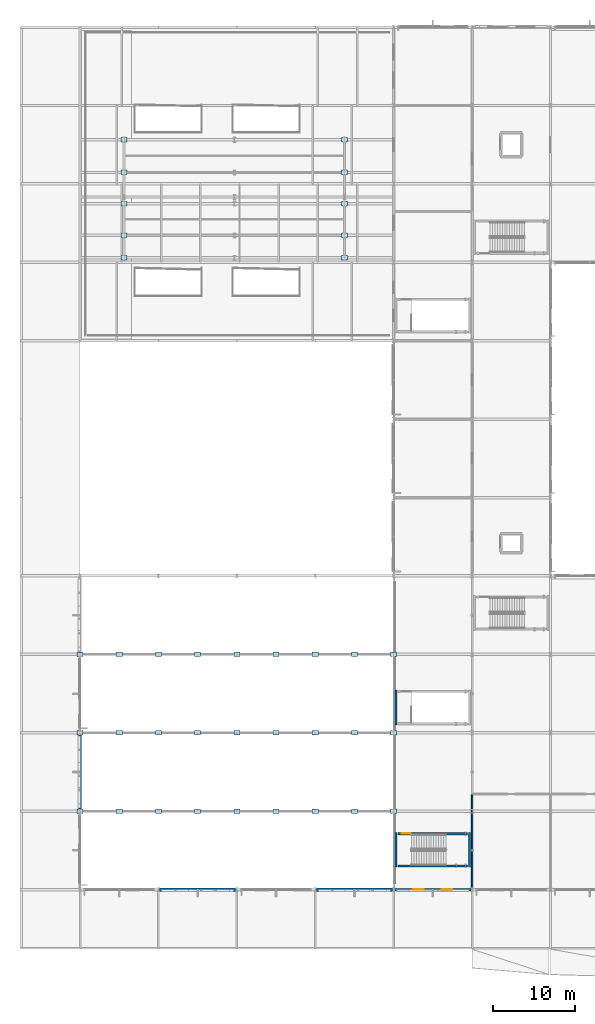
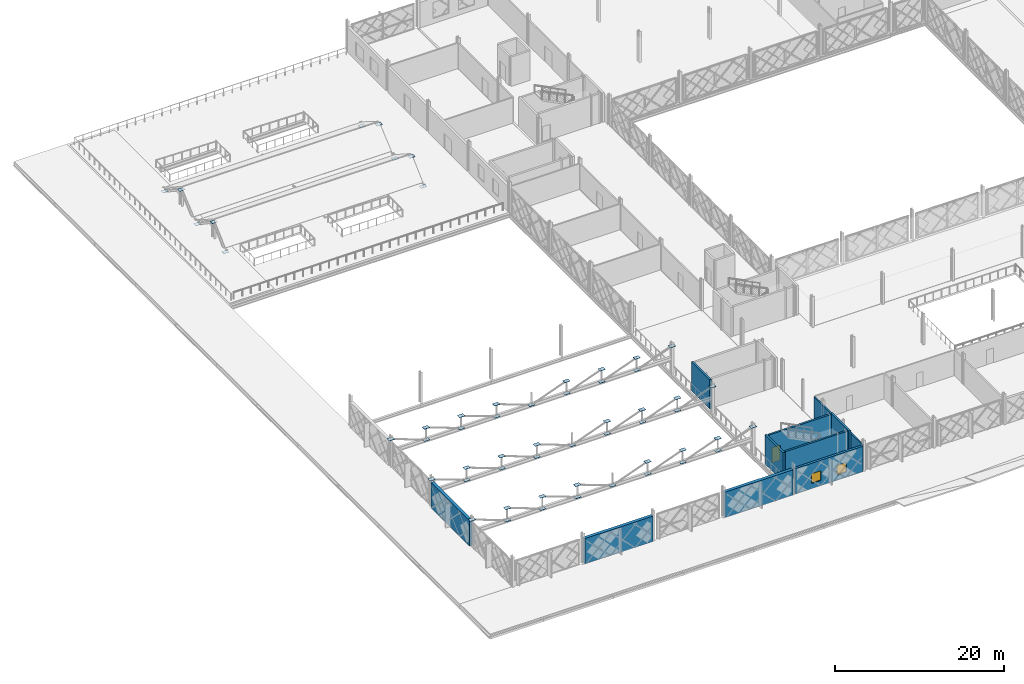
# One storey, part 64 of 101: 55 plates, 10 walls, 2 windows, 1 door, 3 openings.
"""IFC4 building model written with IfcOpenShell, lengths in metres."""

from ifc_helpers import new_model, si_unit, direction, frame, frame_2d, origin, origin_2d, place, context, subcontext, project, spatial, rectangle, extrude, material, layer, layer_set, type_object, element, fill, save


model = new_model("IFC4")

# Units and contexts
model_context = context("Model", 3, precision=1e-05, world=origin(), true_north=direction((0.0, 1.0)))
body_context = subcontext(model_context, "Body", "Model", "MODEL_VIEW")
ifc_project = project(units=[si_unit("LENGTHUNIT", "METRE"), si_unit("AREAUNIT", "SQUARE_METRE"), si_unit("VOLUMEUNIT", "CUBIC_METRE"), si_unit("PLANEANGLEUNIT", "RADIAN"), si_unit("MASSUNIT", "GRAM", prefix="KILO")], contexts=[model_context])

# Site, building, storey
site_placement = place(None, origin())
site = spatial("IfcSite", under=ifc_project, at=site_placement, CompositionType="ELEMENT")
building_placement = place(site_placement, origin())
building = spatial("IfcBuilding", under=site, at=building_placement, Name="Zevrakil Square Congress Hotel", CompositionType="ELEMENT")
storey_placement = place(building_placement, frame((0.0, 0.0, 5.39990234375)))
storey = spatial("IfcBuildingStorey", under=building, at=storey_placement, Name="L02", CompositionType="ELEMENT", Elevation=5.39990234375)

# Plates
ifc_material_1 = material(Name="Steel S355", Category="steel")
ifc_layer_1 = layer(ifc_material_1, 0.028076171875)
ifc_layer_set_1 = layer_set([ifc_layer_1], Name="Steel S355")
plate_type = type_object("IfcPlateType", Name="PLT-GUSSET-750", PredefinedType="SHEET", material=ifc_layer_set_1)
for number, where, z_axis, x_axis, name in (
    (1, (7.199951171875, 16.800048828125, 3.9111328125), (0.0, 0.0, 1.0), (1.0, 0.0, 0.0), "L02 brace and strut end gusset connection plate GP-I01"),
    (2, (12.0, 16.800048828125, 2.13623046875), (0.0, 0.0, 1.0), (1.0, 0.0, 0.0), "L02 brace and strut end gusset connection plate GP-I02"),
    (3, (12.0, 16.800048828125, 3.9111328125), (0.0, 0.0, 1.0), (1.0, 0.0, 0.0), "L02 brace and strut end gusset connection plate GP-I03"),
    (4, (16.800048828125, 16.800048828125, 2.13623046875), (0.0, 0.0, 1.0), (1.0, 0.0, 0.0), "L02 brace and strut end gusset connection plate GP-I04"),
    (5, (16.800048828125, 16.800048828125, 3.9111328125), (0.0, 0.0, 1.0), (1.0, 0.0, 0.0), "L02 brace and strut end gusset connection plate GP-I05"),
    (6, (21.60009765625, 16.800048828125, 2.13623046875), (0.0, 0.0, 1.0), (1.0, 0.0, 0.0), "L02 brace and strut end gusset connection plate GP-I06"),
    (7, (21.60009765625, 16.800048828125, 3.9111328125), (0.0, 0.0, 1.0), (1.0, 0.0, 0.0), "L02 brace and strut end gusset connection plate GP-I07"),
    (8, (26.39990234375, 16.800048828125, 2.13623046875), (0.0, 0.0, 1.0), (1.0, 0.0, 0.0), "L02 brace and strut end gusset connection plate GP-I08"),
    (9, (31.199951171875, 16.800048828125, 3.9111328125), (0.0, 0.0, 1.0), (1.0, 0.0, 0.0), "L02 brace and strut end gusset connection plate GP-I09"),
    (10, (31.199951171875, 16.800048828125, 2.13623046875), (0.0, 0.0, 1.0), (1.0, 0.0, 0.0), "L02 brace and strut end gusset connection plate GP-I10"),
    (11, (36.0, 16.800048828125, 3.9111328125), (0.0, 0.0, 1.0), (1.0, 0.0, 0.0), "L02 brace and strut end gusset connection plate GP-I11"),
    (12, (36.0, 16.800048828125, 2.13623046875), (0.0, 0.0, 1.0), (1.0, 0.0, 0.0), "L02 brace and strut end gusset connection plate GP-I12"),
    (13, (40.800048828125, 16.800048828125, 3.9111328125), (0.0, 0.0, 1.0), (1.0, 0.0, 0.0), "L02 brace and strut end gusset connection plate GP-I13"),
    (14, (40.800048828125, 16.800048828125, 2.13623046875), (0.0, 0.0, 1.0), (1.0, 0.0, 0.0), "L02 brace and strut end gusset connection plate GP-I14"),
    (15, (45.60009765625, 16.800048828125, 3.9111328125), (0.0, 0.0, 1.0), (1.0, 0.0, 0.0), "L02 brace and strut end gusset connection plate GP-I15"),
    (16, (7.199951171875, 26.39990234375, 3.9111328125), (0.0, 0.0, 1.0), (1.0, 0.0, 0.0), "L02 brace and strut end gusset connection plate GP-I16"),
    (17, (12.0, 26.39990234375, 2.13623046875), (0.0, 0.0, 1.0), (1.0, 0.0, 0.0), "L02 brace and strut end gusset connection plate GP-I17"),
    (18, (12.0, 26.39990234375, 3.9111328125), (0.0, 0.0, 1.0), (1.0, 0.0, 0.0), "L02 brace and strut end gusset connection plate GP-I18"),
    (19, (16.800048828125, 26.39990234375, 2.13623046875), (0.0, 0.0, 1.0), (1.0, 0.0, 0.0), "L02 brace and strut end gusset connection plate GP-I19"),
    (20, (16.800048828125, 26.39990234375, 3.9111328125), (0.0, 0.0, 1.0), (1.0, 0.0, 0.0), "L02 brace and strut end gusset connection plate GP-I20"),
    (21, (21.60009765625, 26.39990234375, 2.13623046875), (0.0, 0.0, 1.0), (1.0, 0.0, 0.0), "L02 brace and strut end gusset connection plate GP-I21"),
    (22, (21.60009765625, 26.39990234375, 3.9111328125), (0.0, 0.0, 1.0), (1.0, 0.0, 0.0), "L02 brace and strut end gusset connection plate GP-I22"),
    (23, (26.39990234375, 26.39990234375, 2.13623046875), (0.0, 0.0, 1.0), (1.0, 0.0, 0.0), "L02 brace and strut end gusset connection plate GP-I23"),
    (24, (31.199951171875, 26.39990234375, 3.9111328125), (0.0, 0.0, 1.0), (1.0, 0.0, 0.0), "L02 brace and strut end gusset connection plate GP-I24"),
    (25, (31.199951171875, 26.39990234375, 2.13623046875), (0.0, 0.0, 1.0), (1.0, 0.0, 0.0), "L02 brace and strut end gusset connection plate GP-I25"),
    (26, (36.0, 26.39990234375, 3.9111328125), (0.0, 0.0, 1.0), (1.0, 0.0, 0.0), "L02 brace and strut end gusset connection plate GP-I26"),
    (27, (36.0, 26.39990234375, 2.13623046875), (0.0, 0.0, 1.0), (1.0, 0.0, 0.0), "L02 brace and strut end gusset connection plate GP-I27"),
    (28, (40.800048828125, 26.39990234375, 3.9111328125), (0.0, 0.0, 1.0), (1.0, 0.0, 0.0), "L02 brace and strut end gusset connection plate GP-I28"),
    (29, (40.800048828125, 26.39990234375, 2.13623046875), (0.0, 0.0, 1.0), (1.0, 0.0, 0.0), "L02 brace and strut end gusset connection plate GP-I29"),
    (30, (45.60009765625, 26.39990234375, 3.9111328125), (0.0, 0.0, 1.0), (1.0, 0.0, 0.0), "L02 brace and strut end gusset connection plate GP-I30"),
    (31, (7.199951171875, 36.0, 3.9111328125), (0.0, 0.0, 1.0), (1.0, 0.0, 0.0), "L02 brace and strut end gusset connection plate GP-I31"),
    (32, (12.0, 36.0, 2.13623046875), (0.0, 0.0, 1.0), (1.0, 0.0, 0.0), "L02 brace and strut end gusset connection plate GP-I32"),
    (33, (12.0, 36.0, 3.9111328125), (0.0, 0.0, 1.0), (1.0, 0.0, 0.0), "L02 brace and strut end gusset connection plate GP-I33"),
    (34, (16.800048828125, 36.0, 2.13623046875), (0.0, 0.0, 1.0), (1.0, 0.0, 0.0), "L02 brace and strut end gusset connection plate GP-I34"),
    (35, (16.800048828125, 36.0, 3.9111328125), (0.0, 0.0, 1.0), (1.0, 0.0, 0.0), "L02 brace and strut end gusset connection plate GP-I35"),
    (36, (21.60009765625, 36.0, 2.13623046875), (0.0, 0.0, 1.0), (1.0, 0.0, 0.0), "L02 brace and strut end gusset connection plate GP-I36"),
    (37, (21.60009765625, 36.0, 3.9111328125), (0.0, 0.0, 1.0), (1.0, 0.0, 0.0), "L02 brace and strut end gusset connection plate GP-I37"),
    (38, (26.39990234375, 36.0, 2.13623046875), (0.0, 0.0, 1.0), (1.0, 0.0, 0.0), "L02 brace and strut end gusset connection plate GP-I38"),
    (39, (31.199951171875, 36.0, 3.9111328125), (0.0, 0.0, 1.0), (1.0, 0.0, 0.0), "L02 brace and strut end gusset connection plate GP-I39"),
    (40, (31.199951171875, 36.0, 2.13623046875), (0.0, 0.0, 1.0), (1.0, 0.0, 0.0), "L02 brace and strut end gusset connection plate GP-I40"),
    (41, (36.0, 36.0, 3.9111328125), (0.0, 0.0, 1.0), (1.0, 0.0, 0.0), "L02 brace and strut end gusset connection plate GP-I41"),
    (42, (36.0, 36.0, 2.13623046875), (0.0, 0.0, 1.0), (1.0, 0.0, 0.0), "L02 brace and strut end gusset connection plate GP-I42"),
    (43, (40.800048828125, 36.0, 3.9111328125), (0.0, 0.0, 1.0), (1.0, 0.0, 0.0), "L02 brace and strut end gusset connection plate GP-I43"),
    (44, (40.800048828125, 36.0, 2.13623046875), (0.0, 0.0, 1.0), (1.0, 0.0, 0.0), "L02 brace and strut end gusset connection plate GP-I44"),
    (45, (45.60009765625, 36.0, 3.9111328125), (0.0, 0.0, 1.0), (1.0, 0.0, 0.0), "L02 brace and strut end gusset connection plate GP-I45"),
    (46, (12.60009765625, 84.550048828125, -0.36376953125), (0.0, 0.0, 1.0), (1.0, 0.0, 0.0), "L02 brace and strut end gusset connection plate GP-E29"),
    (47, (12.60009765625, 87.300048828125, 2.30615234375), (0.0, 0.0, 1.0), (1.0, 0.0, 0.0), "L02 brace and strut end gusset connection plate GP-E30"),
    (48, (12.60009765625, 91.199951171875, -0.36376953125), (0.0, 0.0, 1.0), (1.0, 0.0, 0.0), "L02 brace and strut end gusset connection plate GP-E31"),
    (49, (39.60009765625, 84.550048828125, -0.36376953125), (0.0, 0.0, 1.0), (1.0, 0.0, 0.0), "L02 brace and strut end gusset connection plate GP-E32"),
    (50, (39.60009765625, 87.300048828125, 2.30615234375), (0.0, 0.0, 1.0), (1.0, 0.0, 0.0), "L02 brace and strut end gusset connection plate GP-E33"),
    (51, (39.60009765625, 91.199951171875, -0.36376953125), (0.0, 0.0, 1.0), (1.0, 0.0, 0.0), "L02 brace and strut end gusset connection plate GP-E34"),
    (52, (12.60009765625, 95.0, 2.30615234375), (0.0, 0.0, 1.0), (1.0, 0.0, 0.0), "L02 brace and strut end gusset connection plate GP-E35"),
    (53, (12.60009765625, 99.0, -0.36376953125), (0.0, 0.0, 1.0), (1.0, 0.0, 0.0), "L02 brace and strut end gusset connection plate GP-E36"),
    (54, (39.60009765625, 95.0, 2.30615234375), (0.0, 0.0, 1.0), (1.0, 0.0, 0.0), "L02 brace and strut end gusset connection plate GP-E37"),
    (55, (39.60009765625, 99.0, -0.36376953125), (0.0, 0.0, 1.0), (1.0, 0.0, 0.0), "L02 brace and strut end gusset connection plate GP-E38"),
):
    element("IfcPlate", number, at=place(storey_placement, frame(where, z_axis=z_axis, x_axis=x_axis)), inside=storey, type_object=plate_type, Name=name, PredefinedType="SHEET", context=body_context, shape_type="SweptSolid", body=[
        extrude(rectangle(XDim=0.75, YDim=0.550048828125, at=origin_2d()), origin(), (0.0, 0.0, 1.0), 0.028076171875),
    ])

# Wall, openings, windows
ifc_material_2 = material(Name="Precast concrete C40/50", Category="concrete")
ifc_layer_2 = layer(ifc_material_2, 0.320068359375)
ifc_layer_set_2 = layer_set([ifc_layer_2], Name="Precast concrete C40/50")
wall_type_1 = type_object("IfcWallType", Name="WAL-EXT-GRC-320", PredefinedType="SOLIDWALL", material=ifc_layer_set_2)
wall_1_placement = place(storey_placement, frame((45.75390625, 7.199951171875, 0.0), z_axis=(0.0, 0.0, 1.0), x_axis=(1.0, 0.0, 0.0)))
wall_1 = element("IfcWall", 56, at=wall_1_placement, inside=storey, type_object=wall_type_1, Name="L02 exterior GRC wall EW-L02-0008", PredefinedType="SOLIDWALL", context=body_context, shape_type="SweptSolid", body=[
    extrude(rectangle(XDim=9.2919921875, YDim=0.320068359375, at=frame_2d((4.64599609375, 0.0))), origin(), (0.0, 0.0, 1.0), 3.68505859375),
])
opening_1_placement = place(wall_1_placement, frame((2.248046875, 0.0, 0.75)))
opening_1 = element("IfcOpeningElement", 57, at=opening_1_placement, cuts=wall_1, Name="Opening WN-02", PredefinedType="OPENING", context=body_context, shape_type="SweptSolid", body=[
    extrude(rectangle(XDim=1.300048828125, YDim=1.39990234375, at=frame_2d((0.64990234375, 0.699951171875))), frame((0.0, 0.169921875, 0.0), z_axis=(0.0, -1.0, 0.0), x_axis=(1.0, 0.0, 0.0)), (0.0, 0.0, 1.0), 0.340087890625),
])
opening_2_placement = place(wall_1_placement, frame((5.743896484375, 0.0, 0.75)))
opening_2 = element("IfcOpeningElement", 58, at=opening_2_placement, cuts=wall_1, Name="Opening WN-02", PredefinedType="OPENING", context=body_context, shape_type="SweptSolid", body=[
    extrude(rectangle(XDim=1.300048828125, YDim=1.39990234375, at=frame_2d((0.64990234375, 0.699951171875))), frame((0.0, 0.169921875, 0.0), z_axis=(0.0, -1.0, 0.0), x_axis=(1.0, 0.0, 0.0)), (0.0, 0.0, 1.0), 0.340087890625),
])
ifc_material_3 = material(Name="Low-E Solar Control Double Glazing", Category="glass")
window_type = type_object("IfcWindowType", Name="WIN-EXT-02", PartitioningType="SINGLE_PANEL", PredefinedType="WINDOW", material=ifc_material_3)
window_1_placement = place(opening_1_placement, origin())
window_1 = element("IfcWindow", 59, at=window_1_placement, inside=storey, type_object=window_type, Name="L02 low-E solar window 2", OverallHeight=1.39990234375, OverallWidth=1.300048828125, PartitioningType="SINGLE_PANEL", PredefinedType="WINDOW", context=body_context, shape_type="SweptSolid", body=[
    extrude(rectangle(XDim=1.300048828125, YDim=1.39990234375, at=frame_2d((0.64990234375, 0.699951171875))), frame((0.0, 0.030029296875, 0.0), z_axis=(0.0, -1.0, 0.0), x_axis=(1.0, 0.0, 0.0)), (0.0, 0.0, 1.0), 0.06005859375),
])
fill(opening_1, window_1)
window_2_placement = place(opening_2_placement, origin())
window_2 = element("IfcWindow", 60, at=window_2_placement, inside=storey, type_object=window_type, Name="L02 low-E solar window 3", OverallHeight=1.39990234375, OverallWidth=1.300048828125, PartitioningType="SINGLE_PANEL", PredefinedType="WINDOW", context=body_context, shape_type="SweptSolid", body=[
    extrude(rectangle(XDim=1.300048828125, YDim=1.39990234375, at=frame_2d((0.64990234375, 0.699951171875))), frame((0.0, 0.030029296875, 0.0), z_axis=(0.0, -1.0, 0.0), x_axis=(1.0, 0.0, 0.0)), (0.0, 0.0, 1.0), 0.06005859375),
])
fill(opening_2, window_2)

# Walls
ifc_material_4 = material(Name="Precast concrete C40/50", Category="concrete")
ifc_layer_3 = layer(ifc_material_4, 0.419921875)
ifc_layer_set_3 = layer_set([ifc_layer_3], Name="Precast concrete C40/50")
wall_type_2 = type_object("IfcWallType", Name="WAL-EXT-HALL-420", PredefinedType="SOLIDWALL", material=ifc_layer_set_3)
for number, where, z_axis, x_axis, name in (
    (61, (16.9541015625, 7.199951171875, 0.0), (0.0, 0.0, 1.0), (1.0, 0.0, 0.0), "L02 exterior GRC wall EW-L02-0003"),
    (62, (36.154052734375, 7.199951171875, 0.0), (0.0, 0.0, 1.0), (1.0, 0.0, 0.0), "L02 exterior GRC wall EW-L02-0006"),
):
    element("IfcWall", number, at=place(storey_placement, frame(where, z_axis=z_axis, x_axis=x_axis)), inside=storey, type_object=wall_type_2, Name=name, PredefinedType="SOLIDWALL", context=body_context, shape_type="SweptSolid", body=[
        extrude(rectangle(XDim=9.2919921875, YDim=0.419921875, at=frame_2d((4.64599609375, 0.0))), origin(), (0.0, 0.0, 1.0), 3.68505859375),
    ])
wall_2_placement = place(storey_placement, frame((7.199951171875, 17.029052734375, 0.0), z_axis=(0.0, 0.0, 1.0), x_axis=(0.0, 1.0, 0.0)))
element("IfcWall", 63, at=wall_2_placement, inside=storey, type_object=wall_type_2, Name="L02 exterior GRC wall EW-L02-0027", PredefinedType="SOLIDWALL", context=body_context, shape_type="SweptSolid", body=[
    extrude(rectangle(XDim=9.141845703125, YDim=0.419921875, at=frame_2d((4.57080078125, 0.0))), origin(), (0.0, 0.0, 1.0), 3.675048828125),
])
ifc_material_5 = material(Name="Gypsum Twin-Stud Party Partition")
ifc_layer_4 = layer(ifc_material_5, 0.179931640625)
ifc_layer_set_4 = layer_set([ifc_layer_4], Name="Gypsum Twin-Stud Party Partition")
wall_type_3 = type_object("IfcWallType", Name="WAL-PARTY-180", PredefinedType="PARTITIONING", material=ifc_layer_set_4)
wall_3_placement = place(storey_placement, frame((55.199951171875, 7.39990234375, 0.0), z_axis=(0.0, 0.0, 1.0), x_axis=(0.0, 1.0, 0.0)))
element("IfcWall", 64, at=wall_3_placement, inside=storey, type_object=wall_type_3, Name="L02 interior partition PW-L02-0168", PredefinedType="PARTITIONING", context=body_context, shape_type="SweptSolid", body=[
    extrude(rectangle(XDim=11.41015625, YDim=0.179931640625, at=frame_2d((5.705078125, 0.0))), origin(), (0.0, 0.0, 1.0), 3.68505859375),
])
ifc_material_6 = material(Name="Concrete C40/50", Category="concrete")
ifc_layer_5 = layer(ifc_material_6, 0.260009765625)
ifc_layer_set_5 = layer_set([ifc_layer_5], Name="Concrete C40/50")
wall_type_4 = type_object("IfcWallType", Name="WAL-SHAFT-260", PredefinedType="SHEAR", material=ifc_layer_set_5)
for number, where, z_axis, x_axis, name in (
    (65, (45.905029296875, 9.93994140625, 0.0), (0.0, 0.0, 1.0), (0.0, 1.0, 0.0), "L02 ST12 stair shaft W wall"),
    (66, (54.89501953125, 9.93994140625, 0.0), (0.0, 0.0, 1.0), (0.0, 1.0, 0.0), "L02 ST12 stair shaft E wall"),
):
    element("IfcWall", number, at=place(storey_placement, frame(where, z_axis=z_axis, x_axis=x_axis)), inside=storey, type_object=wall_type_4, Name=name, PredefinedType="SHEAR", context=body_context, shape_type="SweptSolid", body=[
        extrude(rectangle(XDim=4.27001953125, YDim=0.260009765625, at=frame_2d((2.135009765625, 0.0))), origin(), (0.0, 0.0, 1.0), 4.239990234375),
    ])
wall_4_placement = place(storey_placement, frame((46.139892578125, 10.10498046875, 0.0), z_axis=(0.0, 0.0, 1.0), x_axis=(1.0, 0.0, 0.0)))
element("IfcWall", 67, at=wall_4_placement, inside=storey, type_object=wall_type_4, Name="L02 ST12 stair shaft S wall", PredefinedType="SHEAR", context=body_context, shape_type="SweptSolid", body=[
    extrude(rectangle(XDim=8.52001953125, YDim=0.260009765625, at=frame_2d((4.260009765625, 0.0))), origin(), (0.0, 0.0, 1.0), 4.239990234375),
])

# Wall, opening, door
wall_5_placement = place(storey_placement, frame((46.139892578125, 14.044921875, 0.0), z_axis=(0.0, 0.0, 1.0), x_axis=(1.0, 0.0, 0.0)))
wall_5 = element("IfcWall", 68, at=wall_5_placement, inside=storey, type_object=wall_type_4, Name="L02 ST12 stair shaft N wall", PredefinedType="SHEAR", context=body_context, shape_type="SweptSolid", body=[
    extrude(rectangle(XDim=8.52001953125, YDim=0.260009765625, at=frame_2d((4.260009765625, 0.0))), origin(), (0.0, 0.0, 1.0), 4.239990234375),
])
opening_3_placement = place(wall_5_placement, frame((0.449951171875, 0.0, 0.0)))
opening_3 = element("IfcOpeningElement", 69, at=opening_3_placement, cuts=wall_5, Name="Opening SD-ST12", PredefinedType="OPENING", context=body_context, shape_type="SweptSolid", body=[
    extrude(rectangle(XDim=1.10009765625, YDim=2.199951171875, at=frame_2d((0.550048828125, 1.10009765625))), frame((0.0, 0.14013671875, 0.0), z_axis=(0.0, -1.0, 0.0), x_axis=(1.0, 0.0, 0.0)), (0.0, 0.0, 1.0), 0.280029296875),
])
ifc_material_7 = material(Name="Steel S355 Fire-Rated Door", Category="steel")
door_type = type_object("IfcDoorType", Name="DOR-STAIR-FD90-110", OperationType="NOTDEFINED", PredefinedType="DOOR", material=ifc_material_7)
door_placement = place(opening_3_placement, origin())
door = element("IfcDoor", 70, at=door_placement, inside=storey, type_object=door_type, Name="L02 ST12 protected stair fire door", OperationType="SINGLE_SWING_LEFT", OverallHeight=2.199951171875, OverallWidth=1.10009765625, PredefinedType="DOOR", context=body_context, shape_type="SweptSolid", body=[
    extrude(rectangle(XDim=1.10009765625, YDim=2.199951171875, at=frame_2d((0.550048828125, 1.10009765625))), frame((0.0, 0.02490234375, 0.0), z_axis=(0.0, -1.0, 0.0), x_axis=(1.0, 0.0, 0.0)), (0.0, 0.0, 1.0), 0.050048828125),
])
fill(opening_3, door)

# Wall
wall_6_placement = place(storey_placement, frame((45.905029296875, 27.340087890625, 0.0), z_axis=(0.0, 0.0, 1.0), x_axis=(0.0, 1.0, 0.0)))
element("IfcWall", 71, at=wall_6_placement, inside=storey, type_object=wall_type_4, Name="L02 ST13 stair shaft W wall", PredefinedType="SHEAR", context=body_context, shape_type="SweptSolid", body=[
    extrude(rectangle(XDim=4.27001953125, YDim=0.260009765625, at=frame_2d((2.135009765625, 0.0))), origin(), (0.0, 0.0, 1.0), 4.239990234375),
])

save(model, "model.ifc")
